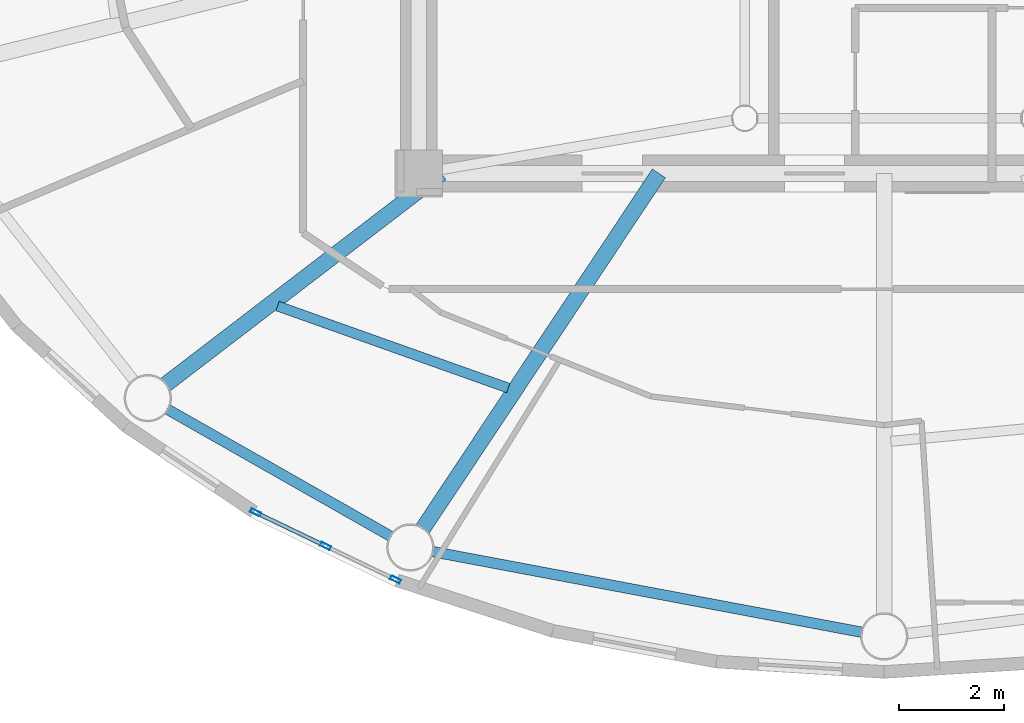
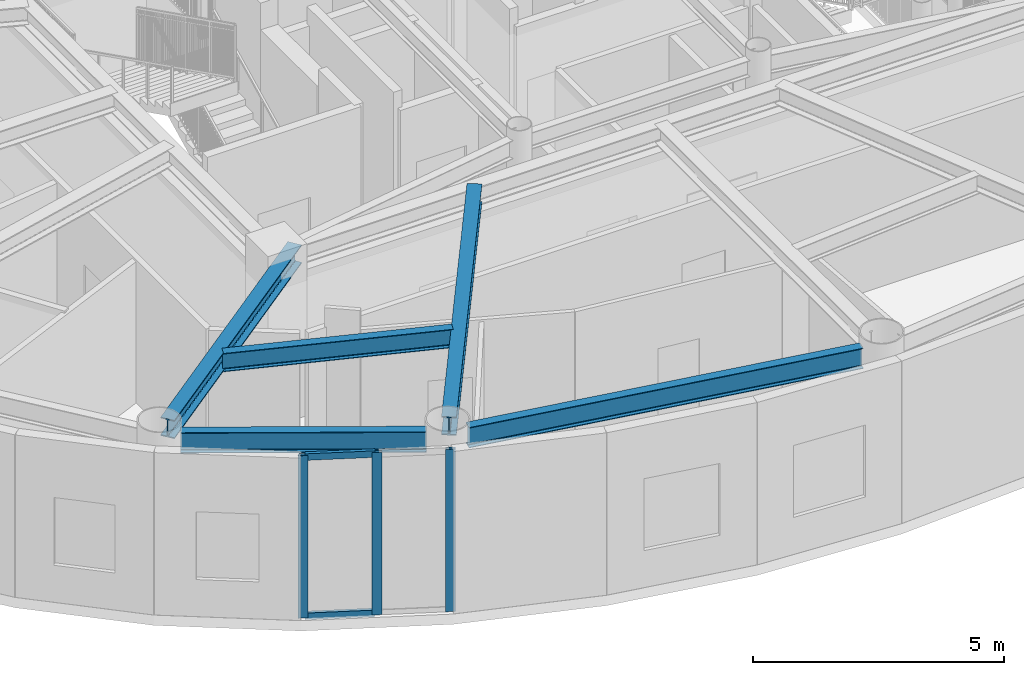
# One storey, part 3 of 24: 5 beams, 5 members, 1 element without a shape of its own.
"""IFC4 building model written with IfcOpenShell, lengths in metres."""

import ifcopenshell
import ifcopenshell.guid

model = None  # the IFC model being written
_history = None  # IfcOwnerHistory: only IFC2X3 demands one
_inside = {}  # id of a spatial element -> (the spatial element, [elements in it])
_under = {}  # id of a project, library or spatial element -> (it, [spatial elements below it])
_declared = {}  # id of a project -> (the project, [libraries it declares])
_typed = {}  # id of a type object -> (the type object, [elements of that type])
_made_of = {}  # id of a material, layer set ... -> (it, [elements and type objects made of it])


def new_model(schema):
    """Start an empty IFC model of exactly this schema.

    Asked for "IFC4X3", IfcOpenShell would pick the latest addendum, in which some entities
    have other attributes; the version numbers below select the first issue.
    IFC2X3 requires an IfcOwnerHistory on every rooted entity: one is made here for all.
    """
    global model, _history
    if schema == "IFC4X3":
        model = ifcopenshell.file(schema_version=(4, 3, 0, 0))
    else:
        model = ifcopenshell.file(schema=schema)
    _inside.clear()
    _under.clear()
    _declared.clear()
    _typed.clear()
    _made_of.clear()
    _history = None
    if model.schema == "IFC2X3":
        org = make("IfcOrganization", Name="unknown")
        user = make(
            "IfcPersonAndOrganization",
            ThePerson=make("IfcPerson", FamilyName="unknown"),
            TheOrganization=org,
        )
        app = make(
            "IfcApplication",
            ApplicationDeveloper=org,
            Version="unknown",
            ApplicationFullName="unknown",
            ApplicationIdentifier="unknown",
        )
        _history = make(
            "IfcOwnerHistory",
            OwningUser=user,
            OwningApplication=app,
            ChangeAction="ADDED",
            CreationDate=0,
        )
    return model


def make(cls, **values):
    """One entity of the class cls with the attributes given. An attribute that is None is left unset."""
    return model.create_entity(
        cls, **{name: value for name, value in values.items() if value is not None}
    )


def rooted(cls, **values):
    """An entity with a GlobalId (a new one), such as an element, a storey or a relation."""
    return make(cls, GlobalId=ifcopenshell.guid.new(), OwnerHistory=_history, **values)


def si_unit(unit_type, name, prefix=None):
    """IfcSIUnit, for example si_unit("LENGTHUNIT", "METRE", prefix="MILLI")."""
    return make("IfcSIUnit", UnitType=unit_type, Prefix=prefix, Name=name)


def assignment(units):
    """IfcUnitAssignment: the units of a project."""
    return None if units is None else make("IfcUnitAssignment", Units=units)


def point(xyz):
    """IfcCartesianPoint."""
    return None if xyz is None else make("IfcCartesianPoint", Coordinates=xyz)


def direction(xyz):
    """IfcDirection."""
    return None if xyz is None else make("IfcDirection", DirectionRatios=xyz)


def frame(location, z_axis=None, x_axis=None):
    """IfcAxis2Placement3D, a coordinate frame: its origin and axes. An axis left out is left unset."""
    return make(
        "IfcAxis2Placement3D",
        Location=point(location),
        Axis=direction(z_axis),
        RefDirection=direction(x_axis),
    )


def frame_2d(location, x_axis=None):
    """IfcAxis2Placement2D, a coordinate frame in the plane: its origin and x axis."""
    return make(
        "IfcAxis2Placement2D", Location=point(location), RefDirection=direction(x_axis)
    )


def origin():
    """The frame at (0, 0, 0) with its axes left unset."""
    return frame((0.0, 0.0, 0.0))


def origin_2d():
    """The frame at (0, 0) in the plane with its x axis left unset."""
    return frame_2d((0.0, 0.0))


def place(relative_to, where):
    """IfcLocalPlacement: puts the frame where relative to a parent placement (None: the world)."""
    return make(
        "IfcLocalPlacement", PlacementRelTo=relative_to, RelativePlacement=where
    )


def context(
    kind, dimensions, precision=None, world=None, true_north=None, identifier=None
):
    """IfcGeometricRepresentationContext, for example the 3D "Model" context."""
    return make(
        "IfcGeometricRepresentationContext",
        ContextIdentifier=identifier,
        ContextType=kind,
        CoordinateSpaceDimension=dimensions,
        Precision=precision,
        WorldCoordinateSystem=world,
        TrueNorth=true_north,
    )


def subcontext(parent, identifier, kind, view, scale=None):
    """IfcGeometricRepresentationSubContext, for example "Body" below "Model"."""
    return make(
        "IfcGeometricRepresentationSubContext",
        ContextIdentifier=identifier,
        ContextType=kind,
        ParentContext=parent,
        TargetScale=scale,
        TargetView=view,
    )


def project(units=None, contexts=None):
    """IfcProject with its units and contexts."""
    return rooted(
        "IfcProject",
        Name="project",
        RepresentationContexts=contexts,
        UnitsInContext=assignment(units),
    )


def spatial(cls, under=None, at=None, **own):
    """A site, building, storey or space (cls), placed at a placement, below another one or the project."""
    s = rooted(cls, ObjectPlacement=at, **own)
    if under is not None:
        _under.setdefault(under.id(), (under, []))[1].append(s)
    return s


def profile(cls, at=None, kind="AREA", **sizes):
    """A parametric profile (cls). Its sizes go by their IFC names, for example OverallWidth=200.0."""
    return make(cls, ProfileType=kind, Position=at, **sizes)


def hollow_rectangle(**sizes):
    """IfcRectangleHollowProfileDef."""
    return profile("IfcRectangleHollowProfileDef", **sizes)


def i_section(**sizes):
    """IfcIShapeProfileDef."""
    return profile("IfcIShapeProfileDef", **sizes)


def extrude(swept, where, along, depth):
    """IfcExtrudedAreaSolid: the profile swept, set in the frame where, extruded along a direction by depth."""
    return make(
        "IfcExtrudedAreaSolid",
        SweptArea=swept,
        Position=where,
        ExtrudedDirection=direction(along),
        Depth=depth,
    )


def shape(context_of_items, identifier, shape_type, items):
    """IfcShapeRepresentation: the items that make up one representation, for example the "Body"."""
    return make(
        "IfcShapeRepresentation",
        ContextOfItems=context_of_items,
        RepresentationIdentifier=identifier,
        RepresentationType=shape_type,
        Items=items,
    )


def source(mapping_origin, context_of_items, identifier, shape_type, items):
    """IfcRepresentationMap: a shape defined once, which mapped items show again and again."""
    return make(
        "IfcRepresentationMap",
        MappingOrigin=mapping_origin,
        MappedRepresentation=shape(context_of_items, identifier, shape_type, items),
    )


def transform(
    local_origin,
    x_axis=None,
    y_axis=None,
    z_axis=None,
    scale=None,
    scale2=None,
    scale3=None,
    uniform=True,
):
    """IfcCartesianTransformationOperator3D, or its non-uniform kind. x_axis, y_axis, z_axis: its Axis1, 2, 3."""
    if uniform:
        return make(
            "IfcCartesianTransformationOperator3D",
            Axis1=direction(x_axis),
            Axis2=direction(y_axis),
            LocalOrigin=point(local_origin),
            Scale=scale,
            Axis3=direction(z_axis),
        )
    return make(
        "IfcCartesianTransformationOperator3DnonUniform",
        Axis1=direction(x_axis),
        Axis2=direction(y_axis),
        LocalOrigin=point(local_origin),
        Scale=scale,
        Axis3=direction(z_axis),
        Scale2=scale2,
        Scale3=scale3,
    )


def mapped(mapping_source, mapping_target):
    """IfcMappedItem: shows the shape of a source again, moved by a transform."""
    return make(
        "IfcMappedItem", MappingSource=mapping_source, MappingTarget=mapping_target
    )


def material(Name=None, Category=None):
    """IfcMaterial."""
    return make("IfcMaterial", Name=Name, Category=Category)


def layer(
    of_material, thickness, ventilated=None, Name=None, Category=None, Priority=None
):
    """IfcMaterialLayer: one layer of a wall or slab, of a material (None: an air gap)."""
    return make(
        "IfcMaterialLayer",
        Material=of_material,
        LayerThickness=thickness,
        IsVentilated=ventilated,
        Name=Name,
        Category=Category,
        Priority=Priority,
    )


def layer_set(layers, Name=None):
    """IfcMaterialLayerSet."""
    return make("IfcMaterialLayerSet", MaterialLayers=layers, LayerSetName=Name)


def material_profile(
    of_material, cross_section, Name=None, Category=None, Priority=None
):
    """IfcMaterialProfile: a cross section and its material."""
    return make(
        "IfcMaterialProfile",
        Name=Name,
        Material=of_material,
        Profile=cross_section,
        Priority=Priority,
        Category=Category,
    )


def profile_set(profiles, Name=None, composite=None):
    """IfcMaterialProfileSet."""
    return make(
        "IfcMaterialProfileSet",
        Name=Name,
        MaterialProfiles=profiles,
        CompositeProfile=composite,
    )


def made_of(thing, what):
    """Note that an element or type object is made of a material, layer set ...; save() writes the relation."""
    if what is not None:
        _made_of.setdefault(what.id(), (what, []))[1].append(thing)
    return thing


def type_object(cls, material=None, **own):
    """A type object (cls), such as IfcWallType, which elements share."""
    return made_of(rooted(cls, **own), material)


def element(
    cls,
    number,
    at=None,
    inside=None,
    cuts=None,
    type_object=None,
    material=None,
    context=None,
    identifier="Body",
    shape_type=None,
    held_by="IfcProductDefinitionShape",
    body=None,
    shapes=None,
    **own,
):
    """One element of the class cls, such as IfcWall. Its Tag is "e" and its number.

    at: its placement. inside: the storey or other place that contains it. cuts: it is an
    opening in that element (IfcRelVoidsElement). A single representation is given by context,
    identifier, shape_type and body (its items); several are given by shapes. held_by: the class
    of the entity that holds the representations. save() writes the other relations.
    """
    e = rooted(cls, Tag="e%d" % number, ObjectPlacement=at, **own)
    if body is not None:
        shapes = [shape(context, identifier, shape_type, body)]
    if shapes is not None:
        e.Representation = make(held_by, Representations=shapes)
    if inside is not None:
        _inside.setdefault(inside.id(), (inside, []))[1].append(e)
    if cuts is not None:
        rooted(
            "IfcRelVoidsElement", RelatingBuildingElement=cuts, RelatedOpeningElement=e
        )
    if type_object is not None:
        _typed.setdefault(type_object.id(), (type_object, []))[1].append(e)
    return made_of(e, material)


def aggregate(whole, parts):
    """IfcRelAggregates: a whole, such as a stair, and the parts it consists of."""
    return rooted("IfcRelAggregates", RelatingObject=whole, RelatedObjects=parts)


def save(model, path):
    """Write the relations noted so far, then the file.

    IfcRelAggregates (storeys below a building ...), IfcRelContainedInSpatialStructure (elements
    in a storey), IfcRelDefinesByType, IfcRelAssociatesMaterial and IfcRelDeclares: one each for
    every whole, place, type object, material and project.
    """
    for whole, parts in _under.values():
        aggregate(whole, parts)
    for where, things in _inside.values():
        rooted(
            "IfcRelContainedInSpatialStructure",
            RelatedElements=things,
            RelatingStructure=where,
        )
    for kind, things in _typed.values():
        rooted("IfcRelDefinesByType", RelatedObjects=things, RelatingType=kind)
    for what, things in _made_of.values():
        rooted("IfcRelAssociatesMaterial", RelatedObjects=things, RelatingMaterial=what)
    for by, libraries in _declared.values():
        rooted("IfcRelDeclares", RelatingContext=by, RelatedDefinitions=libraries)
    model.write(path)


model = new_model("IFC4")

# Units and contexts
model_context = context("Model", 3, precision=1e-05, world=origin(), true_north=direction((0.0, 1.0)))
body_context = subcontext(model_context, "Body", "Model", "MODEL_VIEW")
ifc_project = project(units=[si_unit("LENGTHUNIT", "METRE"), si_unit("AREAUNIT", "SQUARE_METRE"), si_unit("VOLUMEUNIT", "CUBIC_METRE"), si_unit("PLANEANGLEUNIT", "RADIAN"), si_unit("MASSUNIT", "GRAM", prefix="KILO")], contexts=[model_context])

# Site, building, storey
site_placement = place(None, origin())
site = spatial("IfcSite", under=ifc_project, at=site_placement, CompositionType="ELEMENT")
building_placement = place(site_placement, origin())
building = spatial("IfcBuilding", under=site, at=building_placement, Name="Linh Dai School and Residence Tower", CompositionType="ELEMENT")
storey_placement = place(building_placement, frame((0.0, 0.0, 355.199951171875)))
storey = spatial("IfcBuildingStorey", under=building, at=storey_placement, Name="L88", CompositionType="ELEMENT", Elevation=355.199951171875)

# Beams
ifc_material_1 = material(Name="Structural Steel S355JR", Category="steel")
ifc_material_profile_1 = material_profile(ifc_material_1, i_section(OverallWidth=0.199951171875, OverallDepth=0.5, WebThickness=0.01025390625, FlangeThickness=0.01611328125, FilletRadius=0.02099609375, at=origin_2d()), Name="IPE 500")
ifc_profile_set_1 = profile_set([ifc_material_profile_1], Name="Structural Steel S355JR")
beam_type_1 = type_object("IfcBeamType", Name="BM-RB50", PredefinedType="BEAM", material=ifc_profile_set_1)
beam_1_placement = place(storey_placement, frame((22.362548828125, 16.069580078125, 3.699951171875), z_axis=(0.86923725405, -0.494395182189, 0.0), x_axis=(0.494395182189, 0.86923725405, 0.0)))
element("IfcBeam", 1, at=beam_1_placement, inside=storey, type_object=beam_type_1, Name="L88 Perimeter Elliptical Ring Beam 11", PredefinedType="BEAM", context=body_context, shape_type="SweptSolid", body=[
    extrude(i_section(OverallWidth=0.199951171875, OverallDepth=0.5, WebThickness=0.01025390625, FlangeThickness=0.01611328125, FilletRadius=0.02099609375, at=origin_2d()), origin(), (0.0, 0.0, 1.0), 4.903076171875),
])
beam_2_placement = place(storey_placement, frame((27.402587890625, 13.3603515625, 3.699951171875), z_axis=(0.98280175603, -0.184663771066, 0.0), x_axis=(0.184663771066, 0.98280175603, 0.0)))
element("IfcBeam", 2, at=beam_2_placement, inside=storey, type_object=beam_type_1, Name="L88 Perimeter Elliptical Ring Beam 12", PredefinedType="BEAM", context=body_context, shape_type="SweptSolid", body=[
    extrude(i_section(OverallWidth=0.199951171875, OverallDepth=0.5, WebThickness=0.01025390625, FlangeThickness=0.01611328125, FilletRadius=0.02099609375, at=origin_2d()), origin(), (0.0, 0.0, 1.0), 8.327880859375),
])
ifc_material_profile_2 = material_profile(ifc_material_1, i_section(OverallWidth=0.300048828125, OverallDepth=0.449951171875, WebThickness=0.013916015625, FlangeThickness=0.02587890625, FilletRadius=0.027099609375, at=origin_2d()), Name="HEB 450")
ifc_profile_set_2 = profile_set([ifc_material_profile_2], Name="Structural Steel S355JR")
beam_type_2 = type_object("IfcBeamType", Name="BM-RG45", PredefinedType="BEAM", material=ifc_profile_set_2)
beam_3_placement = place(storey_placement, frame((27.5771484375, 20.550048828125, 3.72509765625), z_axis=(-0.793929753809, -0.608009495006, 0.0), x_axis=(0.608009495006, -0.793929753809, 0.0)))
element("IfcBeam", 3, at=beam_3_placement, inside=storey, type_object=beam_type_2, Name="L88 Primary Radial Floor Girder 11", PredefinedType="BEAM", context=body_context, shape_type="SweptSolid", body=[
    extrude(i_section(OverallWidth=0.300048828125, OverallDepth=0.449951171875, WebThickness=0.013916015625, FlangeThickness=0.02587890625, FilletRadius=0.027099609375, at=origin_2d()), origin(), (0.0, 0.0, 1.0), 6.607666015625),
])
beam_4_placement = place(storey_placement, frame((31.71484375, 20.550048828125, 3.72509765625), z_axis=(-0.553380967678, -0.832928270989, 0.0), x_axis=(0.832928270989, -0.553380967678, 0.0)))
element("IfcBeam", 4, at=beam_4_placement, inside=storey, type_object=beam_type_2, Name="L88 Primary Radial Floor Girder 12", PredefinedType="BEAM", context=body_context, shape_type="SweptSolid", body=[
    extrude(i_section(OverallWidth=0.300048828125, OverallDepth=0.449951171875, WebThickness=0.013916015625, FlangeThickness=0.02587890625, FilletRadius=0.027099609375, at=origin_2d()), origin(), (0.0, 0.0, 1.0), 8.11865234375),
])
ifc_material_profile_3 = material_profile(ifc_material_1, i_section(OverallWidth=0.18994140625, OverallDepth=0.449951171875, WebThickness=0.009521484375, FlangeThickness=0.0146484375, FilletRadius=0.02099609375, at=origin_2d()), Name="IPE 450")
ifc_profile_set_3 = profile_set([ifc_material_profile_3], Name="Structural Steel S355JR")
beam_type_3 = type_object("IfcBeamType", Name="BM-SB45", PredefinedType="BEAM", material=ifc_profile_set_3)
beam_5_placement = place(storey_placement, frame((24.463623046875, 18.0283203125, 3.72509765625), z_axis=(0.942243736347, -0.334927964366, 0.0), x_axis=(0.334927964366, 0.942243736347, 0.0)))
element("IfcBeam", 5, at=beam_5_placement, inside=storey, type_object=beam_type_3, Name="L88 Secondary Circumferential Floor Beam 06", PredefinedType="BEAM", context=body_context, shape_type="SweptSolid", body=[
    extrude(i_section(OverallWidth=0.18994140625, OverallDepth=0.449951171875, WebThickness=0.009521484375, FlangeThickness=0.0146484375, FilletRadius=0.02099609375, at=origin_2d()), origin(), (0.0, 0.0, 1.0), 4.6572265625),
])

# Curtain wall, members
ifc_material_2 = material(Name="Aluminium Anodised Curtain Wall", Category="aluminium")
ifc_layer = layer(ifc_material_2, 0.199951171875)
ifc_layer_set = layer_set([ifc_layer], Name="Aluminium Anodised Curtain Wall")
curtain_wall_type = type_object("IfcCurtainWallType", Name="CW-SYS-6", PredefinedType="USERDEFINED", material=ifc_layer_set)
curtain_wall_placement = place(storey_placement, origin())
curtain_wall = element("IfcCurtainWall", 6, at=curtain_wall_placement, inside=storey, type_object=curtain_wall_type, Name="L88 CW6 Curtain Wall 27", ObjectType="UNITISED CURTAIN WALL", PredefinedType="USERDEFINED")
ifc_material_3 = material(Name="Aluminium Alloy 6063-T6", Category="aluminium")
ifc_material_profile_4 = material_profile(ifc_material_3, hollow_rectangle(XDim=0.074951171875, YDim=0.159912109375, WallThickness=0.00390625, at=origin_2d()), Name="RHS 160x75x4")
ifc_profile_set_4 = profile_set([ifc_material_profile_4], Name="Aluminium Alloy 6063-T6")
member_type_1 = type_object("IfcMemberType", Name="CW-SYS-6-TRN", PredefinedType="USERDEFINED", material=ifc_profile_set_4)
shared_shape_1 = source(origin(), body_context, "Body", "SweptSolid", [
    extrude(hollow_rectangle(XDim=0.074951171875, YDim=0.159912109375, WallThickness=0.00390625, at=origin_2d()), origin(), (0.0, 0.0, 1.0), 1.39990234375),
])
member_1_placement = place(storey_placement, frame((25.342041015625, 13.481689453125, 0.03759765625), z_axis=(-0.901563871495, 0.432646028081, 0.0), x_axis=(-0.432646028081, -0.901563871495, 0.0)))
member_1 = element("IfcMember", 7, at=member_1_placement, type_object=member_type_1, Name="CW6 transom 2.1", ObjectType="TRANSOM", PredefinedType="USERDEFINED", context=body_context, shape_type="MappedRepresentation", body=[
    mapped(shared_shape_1, transform((0.0, 0.0, 0.0), x_axis=(1.0, 0.0, 0.0), y_axis=(0.0, 1.0, 0.0), z_axis=(0.0, 0.0, 1.0), scale=1.0)),
])
member_2_placement = place(storey_placement, frame((25.342041015625, 13.481689453125, 3.91259765625), z_axis=(-0.901563871495, 0.432646028081, 0.0), x_axis=(-0.432646028081, -0.901563871495, 0.0)))
member_2 = element("IfcMember", 8, at=member_2_placement, type_object=member_type_1, Name="CW6 transom 2.2", ObjectType="TRANSOM", PredefinedType="USERDEFINED", context=body_context, shape_type="MappedRepresentation", body=[
    mapped(shared_shape_1, transform((0.0, 0.0, 0.0), x_axis=(1.0, 0.0, 0.0), y_axis=(0.0, 1.0, 0.0), z_axis=(0.0, 0.0, 1.0), scale=1.0)),
])
ifc_material_profile_5 = material_profile(ifc_material_3, hollow_rectangle(XDim=0.074951171875, YDim=0.199951171875, WallThickness=0.00390625, at=origin_2d()), Name="RHS 200x75x4")
ifc_profile_set_5 = profile_set([ifc_material_profile_5], Name="Aluminium Alloy 6063-T6")
member_type_2 = type_object("IfcMemberType", Name="CW-SYS-6-MUL", PredefinedType="MULLION", material=ifc_profile_set_5)
shared_shape_2 = source(origin(), body_context, "Body", "SweptSolid", [
    extrude(hollow_rectangle(XDim=0.074951171875, YDim=0.199951171875, WallThickness=0.00390625, at=origin_2d()), origin(), (0.0, 0.0, 1.0), 3.949951171875),
])
member_3_placement = place(storey_placement, frame((26.705810546875, 12.8271484375, 0.0), z_axis=(0.0, 0.0, 1.0), x_axis=(-0.432673572418, -0.901550652892, 0.0)))
member_3 = element("IfcMember", 9, at=member_3_placement, type_object=member_type_2, Name="CW6 mullion 1", PredefinedType="MULLION", context=body_context, shape_type="MappedRepresentation", body=[
    mapped(shared_shape_2, transform((0.0, 0.0, 0.0), x_axis=(1.0, 0.0, 0.0), y_axis=(0.0, 1.0, 0.0), z_axis=(0.0, 0.0, 1.0), scale=1.0)),
])
member_4_placement = place(storey_placement, frame((25.3759765625, 13.46533203125, 0.0), z_axis=(0.0, 0.0, 1.0), x_axis=(-0.432673572418, -0.901550652892, 0.0)))
member_4 = element("IfcMember", 10, at=member_4_placement, type_object=member_type_2, Name="CW6 mullion 2", PredefinedType="MULLION", context=body_context, shape_type="MappedRepresentation", body=[
    mapped(shared_shape_2, transform((0.0, 0.0, 0.0), x_axis=(1.0, 0.0, 0.0), y_axis=(0.0, 1.0, 0.0), z_axis=(0.0, 0.0, 1.0), scale=1.0)),
])
member_5_placement = place(storey_placement, frame((24.046142578125, 14.103759765625, 0.0), z_axis=(0.0, 0.0, 1.0), x_axis=(-0.432673572418, -0.901550652892, 0.0)))
member_5 = element("IfcMember", 11, at=member_5_placement, type_object=member_type_2, Name="CW6 mullion 3", PredefinedType="MULLION", context=body_context, shape_type="MappedRepresentation", body=[
    mapped(shared_shape_2, transform((0.0, 0.0, 0.0), x_axis=(1.0, 0.0, 0.0), y_axis=(0.0, 1.0, 0.0), z_axis=(0.0, 0.0, 1.0), scale=1.0)),
])
aggregate(curtain_wall, [member_3, member_4, member_5, member_1, member_2])

save(model, "model.ifc")
